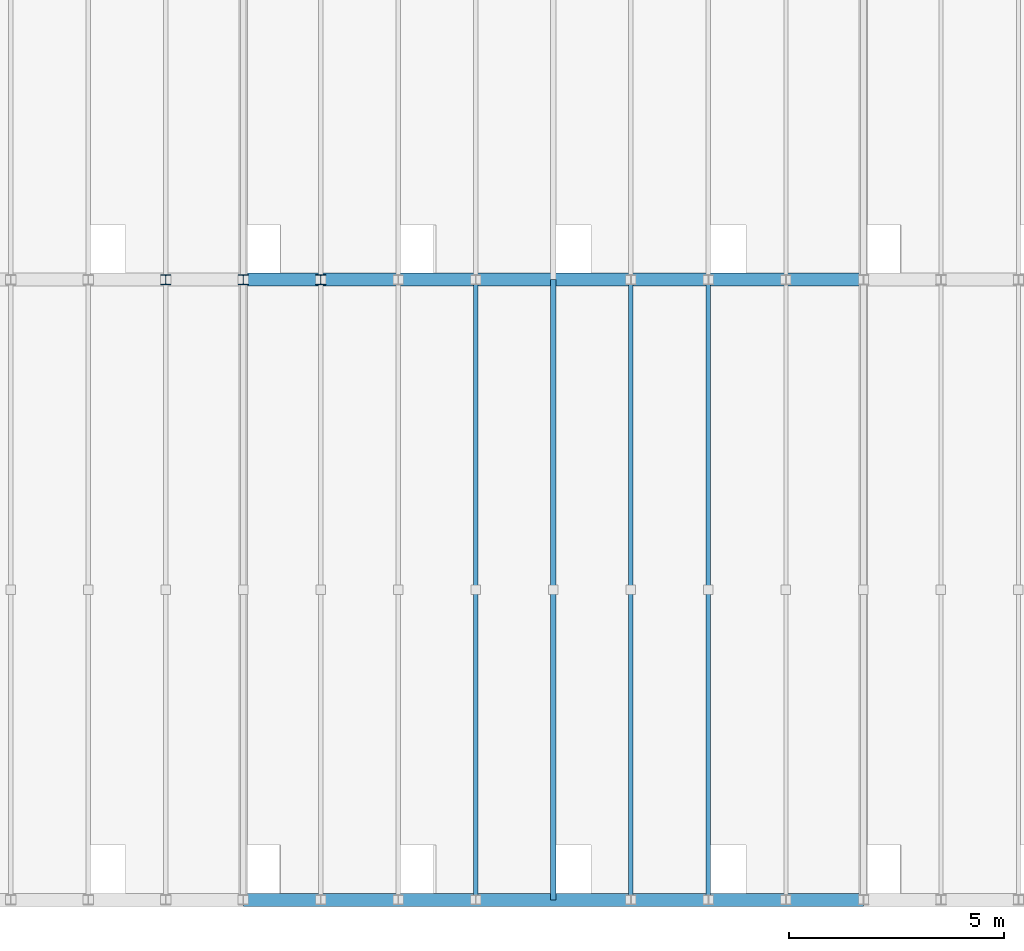
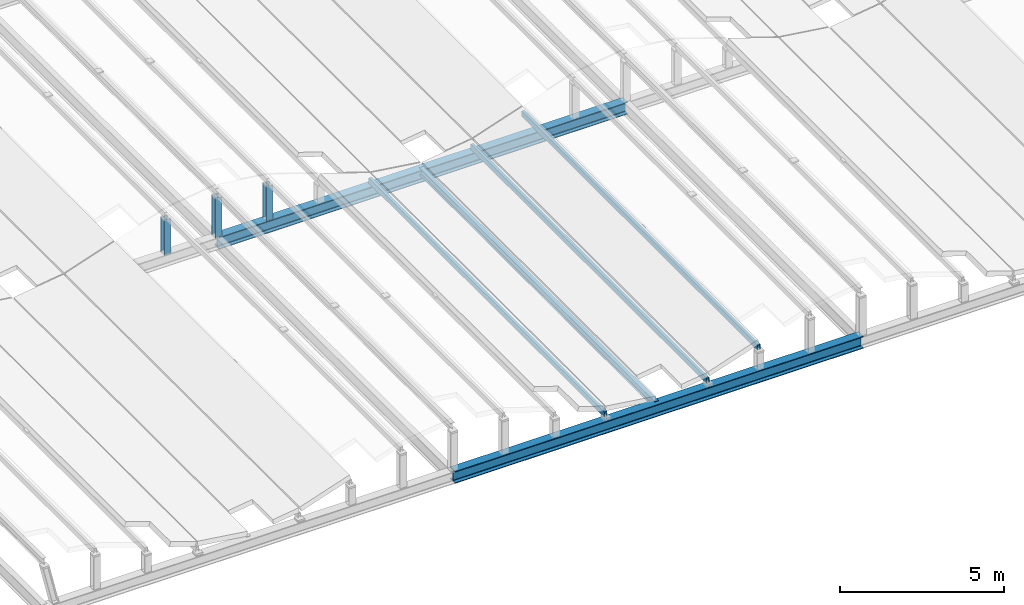
# One storey, part 14 of 83: 7 members, 2 beams.
"""IFC4 building model written with IfcOpenShell, lengths in metres."""

from ifc_helpers import new_model, si_unit, direction, frame, origin, origin_2d, place, context, subcontext, project, spatial, hollow_rectangle, i_section, extrude, material, material_profile, profile_set, type_object, element, save


model = new_model("IFC4")

# Units and contexts
model_context = context("Model", 3, precision=1e-05, world=origin(), true_north=direction((0.0, 1.0)))
body_context = subcontext(model_context, "Body", "Model", "MODEL_VIEW")
ifc_project = project(units=[si_unit("LENGTHUNIT", "METRE"), si_unit("AREAUNIT", "SQUARE_METRE"), si_unit("VOLUMEUNIT", "CUBIC_METRE"), si_unit("PLANEANGLEUNIT", "RADIAN"), si_unit("MASSUNIT", "GRAM", prefix="KILO")], contexts=[model_context])

# Site, building, storey
site_placement = place(None, origin())
site = spatial("IfcSite", under=ifc_project, at=site_placement, CompositionType="ELEMENT")
building_placement = place(site_placement, origin())
building = spatial("IfcBuilding", under=site, at=building_placement, Name="Leyfeld Transit Interchange", CompositionType="ELEMENT")
storey_placement = place(building_placement, frame((0.0, 0.0, 5.39990234375)))
storey = spatial("IfcBuildingStorey", under=building, at=storey_placement, Name="L01", CompositionType="ELEMENT", Elevation=5.39990234375)

# Beams
ifc_material = material(Name="Steel S355J2", Category="steel")
ifc_material_profile_1 = material_profile(ifc_material, i_section(OverallWidth=0.300048828125, OverallDepth=0.449951171875, WebThickness=0.013916015625, FlangeThickness=0.02587890625, FilletRadius=0.027099609375, at=origin_2d()), Name="HEB 450")
ifc_profile_set_1 = profile_set([ifc_material_profile_1], Name="Steel S355J2")
beam_type = type_object("IfcBeamType", Name="BM-STL-HEB450", PredefinedType="JOIST", material=ifc_profile_set_1)
for number, where, z_axis, x_axis, name in (
    (1, (115.199951171875, 0.0, 0.675048828125), (1.0, 0.0, 0.0), (0.0, 1.0, 0.0), "Bus Canopy Longitudinal Girder R1 B2"),
    (2, (115.199951171875, 14.39990234375, 0.675048828125), (1.0, 0.0, 0.0), (0.0, 1.0, 0.0), "Bus Canopy Longitudinal Girder R2 B2"),
):
    element("IfcBeam", number, at=place(storey_placement, frame(where, z_axis=z_axis, x_axis=x_axis)), inside=storey, type_object=beam_type, Name=name, PredefinedType="JOIST", context=body_context, shape_type="SweptSolid", body=[
        extrude(i_section(OverallWidth=0.300048828125, OverallDepth=0.449951171875, WebThickness=0.013916015625, FlangeThickness=0.02587890625, FilletRadius=0.027099609375, at=origin_2d()), origin(), (0.0, 0.0, 1.0), 14.400146484375),
    ])

# Members
ifc_material_profile_2 = material_profile(ifc_material, i_section(OverallWidth=0.239990234375, OverallDepth=0.22998046875, WebThickness=0.007568359375, FlangeThickness=0.011962890625, FilletRadius=0.02099609375, at=origin_2d()), Name="HEA 240")
ifc_profile_set_2 = profile_set([ifc_material_profile_2], Name="Steel S355J2")
member_type_1 = type_object("IfcMemberType", Name="MEM-CHD-HEA240", PredefinedType="CHORD", material=ifc_profile_set_2)
member_1_placement = place(storey_placement, frame((113.39990234375, 14.39990234375, 0.860107421875), z_axis=(0.0, 0.0, 1.0), x_axis=(1.0, 0.0, 0.0)))
element("IfcMember", 3, at=member_1_placement, inside=storey, type_object=member_type_1, Name="Wave Canopy Riser Post 049", PredefinedType="CHORD", context=body_context, shape_type="SweptSolid", body=[
    extrude(i_section(OverallWidth=0.239990234375, OverallDepth=0.22998046875, WebThickness=0.007568359375, FlangeThickness=0.011962890625, FilletRadius=0.02099609375, at=origin_2d()), origin(), (0.0, 0.0, 1.0), 1.3154296875),
])
member_2_placement = place(storey_placement, frame((115.199951171875, 14.39990234375, 0.860107421875), z_axis=(0.0, 0.0, 1.0), x_axis=(1.0, 0.0, 0.0)))
element("IfcMember", 4, at=member_2_placement, inside=storey, type_object=member_type_1, Name="Wave Canopy Riser Post 056", PredefinedType="CHORD", context=body_context, shape_type="SweptSolid", body=[
    extrude(i_section(OverallWidth=0.239990234375, OverallDepth=0.22998046875, WebThickness=0.007568359375, FlangeThickness=0.011962890625, FilletRadius=0.02099609375, at=origin_2d()), origin(), (0.0, 0.0, 1.0), 1.503173828125),
])
member_3_placement = place(storey_placement, frame((117.0, 14.39990234375, 0.860107421875), z_axis=(0.0, 0.0, 1.0), x_axis=(1.0, 0.0, 0.0)))
element("IfcMember", 5, at=member_3_placement, inside=storey, type_object=member_type_1, Name="Wave Canopy Riser Post 063", PredefinedType="CHORD", context=body_context, shape_type="SweptSolid", body=[
    extrude(i_section(OverallWidth=0.239990234375, OverallDepth=0.22998046875, WebThickness=0.007568359375, FlangeThickness=0.011962890625, FilletRadius=0.02099609375, at=origin_2d()), origin(), (0.0, 0.0, 1.0), 1.3154296875),
])
ifc_material_profile_3 = material_profile(ifc_material, i_section(OverallWidth=0.135009765625, OverallDepth=0.27001953125, WebThickness=0.006591796875, FlangeThickness=0.01025390625, FilletRadius=0.014892578125, at=origin_2d()), Name="IPE 270")
ifc_profile_set_3 = profile_set([ifc_material_profile_3], Name="Steel S355J2")
member_type_2 = type_object("IfcMemberType", Name="MEM-PUR-IPE270", PredefinedType="PURLIN", material=ifc_profile_set_3)
member_4_placement = place(storey_placement, frame((122.39990234375, 0.0, 0.777587890625), z_axis=(0.0, 1.0, 0.0), x_axis=(-1.0, 0.0, 0.0)))
element("IfcMember", 6, at=member_4_placement, inside=storey, type_object=member_type_2, Name="Bus Canopy Purlin 081", PredefinedType="PURLIN", context=body_context, shape_type="SweptSolid", body=[
    extrude(i_section(OverallWidth=0.135009765625, OverallDepth=0.27001953125, WebThickness=0.006591796875, FlangeThickness=0.01025390625, FilletRadius=0.014892578125, at=origin_2d()), origin(), (0.0, 0.0, 1.0), 14.39990234375),
])
ifc_material_profile_4 = material_profile(ifc_material, hollow_rectangle(XDim=0.10009765625, YDim=0.199951171875, WallThickness=0.008056640625, at=origin_2d()), Name="RHS 200x100x8")
ifc_profile_set_4 = profile_set([ifc_material_profile_4], Name="Steel S355J2")
member_type_3 = type_object("IfcMemberType", Name="MEM-PUR-RHS200", PredefinedType="PURLIN", material=ifc_profile_set_4)
for number, where, z_axis, x_axis, name in (
    (7, (120.60009765625, 0.0, 1.0546875), (0.0, 1.0, 0.0), (-1.0, 0.0, 0.0), "Bus Canopy Purlin 074"),
    (8, (124.199951171875, 0.0, 1.0546875), (0.0, 1.0, 0.0), (-1.0, 0.0, 0.0), "Bus Canopy Purlin 084"),
    (9, (126.0, 0.0, 1.656494140625), (0.0, 1.0, 0.0), (-1.0, 0.0, 0.0), "Bus Canopy Purlin 091"),
):
    element("IfcMember", number, at=place(storey_placement, frame(where, z_axis=z_axis, x_axis=x_axis)), inside=storey, type_object=member_type_3, Name=name, PredefinedType="PURLIN", context=body_context, shape_type="SweptSolid", body=[
        extrude(hollow_rectangle(XDim=0.10009765625, YDim=0.199951171875, WallThickness=0.008056640625, at=origin_2d()), origin(), (0.0, 0.0, 1.0), 14.39990234375),
    ])

save(model, "model.ifc")
